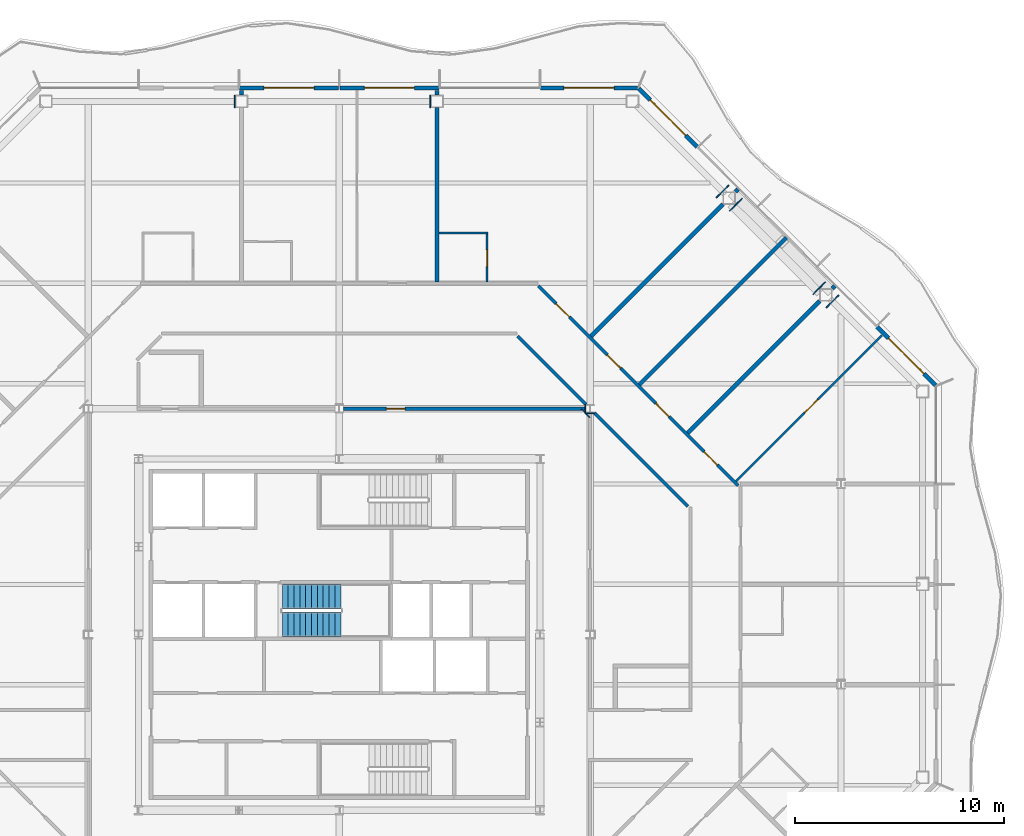
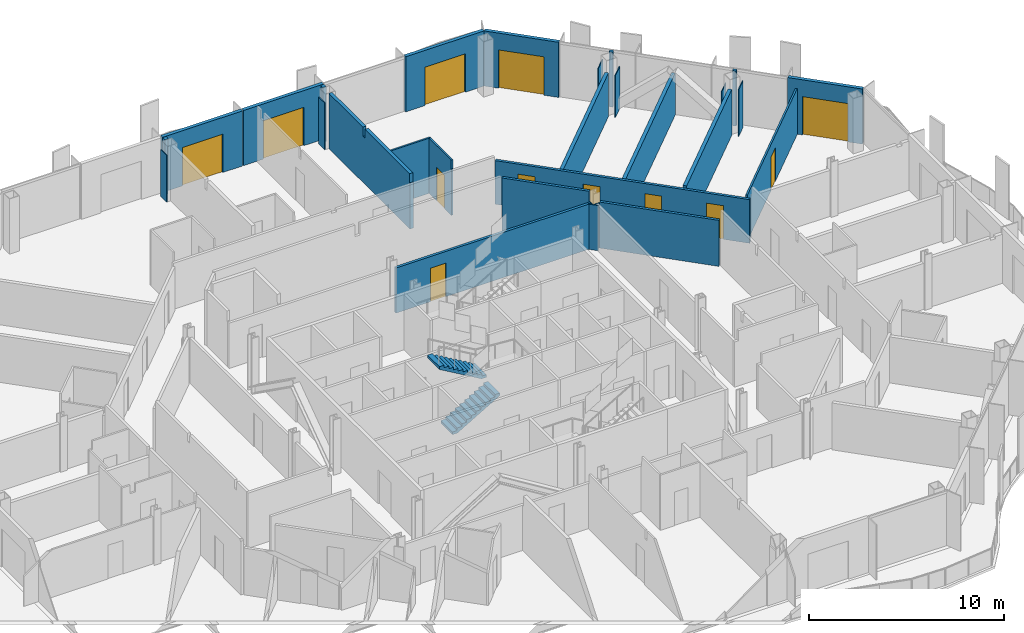
# One storey, part 13 of 21: 29 walls, 12 doors, 2 stair flights, 12 openings, 1 element without a shape of its own.
"""IFC4 building model written with IfcOpenShell, lengths in metres."""

from ifc_helpers import new_model, si_unit, direction, frame, frame_2d, origin, place, context, subcontext, project, spatial, polyline, rectangle, outline, extrude, material, layer, layer_set, type_object, element, fill, aggregate, save


model = new_model("IFC4")

# Units and contexts
model_context = context("Model", 3, precision=1e-05, world=origin(), true_north=direction((0.0, 1.0)))
body_context = subcontext(model_context, "Body", "Model", "MODEL_VIEW")
ifc_project = project(units=[si_unit("LENGTHUNIT", "METRE"), si_unit("AREAUNIT", "SQUARE_METRE"), si_unit("VOLUMEUNIT", "CUBIC_METRE"), si_unit("PLANEANGLEUNIT", "RADIAN"), si_unit("MASSUNIT", "GRAM", prefix="KILO")], contexts=[model_context])

# Site, building, storey
site_placement = place(None, origin())
site = spatial("IfcSite", under=ifc_project, at=site_placement, CompositionType="ELEMENT")
building_placement = place(site_placement, origin())
building = spatial("IfcBuilding", under=site, at=building_placement, Name="Cairn Pilgrim Tower", CompositionType="ELEMENT")
storey_placement = place(building_placement, frame((0.0, 0.0, 150.60009765625)))
storey = spatial("IfcBuildingStorey", under=building, at=storey_placement, Name="L37", CompositionType="ELEMENT", Elevation=150.60009765625)

# Wall, opening, door
ifc_material_1 = material(Name="Bronze anodised aluminium insulated sandwich panel with mineral wool fill", Category="aluminium")
ifc_layer_1 = layer(ifc_material_1, 0.199951171875)
ifc_layer_set_1 = layer_set([ifc_layer_1], Name="BRONZE INFILL FRAME WALL 200")
wall_type_1 = type_object("IfcWallType", Name="BRONZE INFILL FRAME WALL 200", PredefinedType="NOTDEFINED", material=ifc_layer_set_1)
wall_1_placement = place(storey_placement, frame((35.7216796875, 14.32470703125, 0.0), z_axis=(0.0, 0.0, 1.0), x_axis=(-0.707106781187, 0.707106781187, 0.0)))
wall_1 = element("IfcWall", 1, at=wall_1_placement, inside=storey, type_object=wall_type_1, Name="Bronze infill frame wall IW-NE1", PredefinedType="NOTDEFINED", context=body_context, shape_type="SweptSolid", body=[
    extrude(rectangle(XDim=3.961669921875, YDim=0.199951171875, at=frame_2d((1.98095703125, 0.0))), origin(), (0.0, 0.0, 1.0), 3.449951171875),
])
opening_1_placement = place(wall_1_placement, frame((0.775390625, 0.0, 0.0)))
opening_1 = element("IfcOpeningElement", 2, at=opening_1_placement, cuts=wall_1, Name="Opening 3721B", PredefinedType="OPENING", context=body_context, shape_type="SweptSolid", body=[
    extrude(rectangle(XDim=2.39990234375, YDim=2.39990234375, at=frame_2d((1.199951171875, 1.199951171875))), frame((0.0, 0.10986328125, 0.0), z_axis=(0.0, -1.0, 0.0), x_axis=(1.0, 0.0, 0.0)), (0.0, 0.0, 1.0), 0.219970703125),
])
ifc_material_2 = material(Name="Bronze anodised aluminium frame with tinted low-E glass", Category="aluminium")
door_type_1 = type_object("IfcDoorType", Name="BALCONY SLIDING DOOR 2400x2400", OperationType="DOUBLE_DOOR_SLIDING", PredefinedType="DOOR", material=ifc_material_2)
door_1_placement = place(opening_1_placement, origin())
door_1 = element("IfcDoor", 3, at=door_1_placement, inside=storey, type_object=door_type_1, Name="Balcony sliding door 3721B", OperationType="SINGLE_SWING_LEFT", OverallHeight=2.39990234375, OverallWidth=2.39990234375, PredefinedType="DOOR", context=body_context, shape_type="SweptSolid", body=[
    extrude(rectangle(XDim=2.39990234375, YDim=2.39990234375, at=frame_2d((1.199951171875, 1.199951171875))), frame((0.0, 0.02490234375, 0.0), z_axis=(0.0, -1.0, 0.0), x_axis=(1.0, 0.0, 0.0)), (0.0, 0.0, 1.0), 0.050048828125),
])
fill(opening_1, door_1)

wall_2_placement = place(storey_placement, frame((24.325927734375, 25.720458984375, 0.0), z_axis=(0.0, 0.0, 1.0), x_axis=(-0.707106781187, 0.707106781187, 0.0)))
wall_2 = element("IfcWall", 4, at=wall_2_placement, inside=storey, type_object=wall_type_1, Name="Bronze infill frame wall IW-NE5", PredefinedType="NOTDEFINED", context=body_context, shape_type="SweptSolid", body=[
    extrude(rectangle(XDim=3.961669921875, YDim=0.199951171875, at=frame_2d((1.98095703125, 0.0))), origin(), (0.0, 0.0, 1.0), 3.449951171875),
])
opening_2_placement = place(wall_2_placement, frame((0.78564453125, 0.0, 0.0)))
opening_2 = element("IfcOpeningElement", 5, at=opening_2_placement, cuts=wall_2, Name="Opening 3709B", PredefinedType="OPENING", context=body_context, shape_type="SweptSolid", body=[
    extrude(rectangle(XDim=2.39990234375, YDim=2.39990234375, at=frame_2d((1.199951171875, 1.199951171875))), frame((0.0, 0.10986328125, 0.0), z_axis=(0.0, -1.0, 0.0), x_axis=(1.0, 0.0, 0.0)), (0.0, 0.0, 1.0), 0.219970703125),
])
door_2_placement = place(opening_2_placement, origin())
door_2 = element("IfcDoor", 6, at=door_2_placement, inside=storey, type_object=door_type_1, Name="Balcony sliding door 3709B", OperationType="SINGLE_SWING_LEFT", OverallHeight=2.39990234375, OverallWidth=2.39990234375, PredefinedType="DOOR", context=body_context, shape_type="SweptSolid", body=[
    extrude(rectangle(XDim=2.39990234375, YDim=2.39990234375, at=frame_2d((1.199951171875, 1.199951171875))), frame((0.0, 0.02490234375, 0.0), z_axis=(0.0, -1.0, 0.0), x_axis=(1.0, 0.0, 0.0)), (0.0, 0.0, 1.0), 0.050048828125),
])
fill(opening_2, door_2)

wall_3_placement = place(storey_placement, frame((21.45654296875, 28.550048828125, 0.0), z_axis=(0.0, 0.0, 1.0), x_axis=(-1.0, 0.0, 0.0)))
wall_3 = element("IfcWall", 7, at=wall_3_placement, inside=storey, type_object=wall_type_1, Name="Bronze infill frame wall IW-N1", PredefinedType="NOTDEFINED", context=body_context, shape_type="SweptSolid", body=[
    extrude(rectangle(XDim=4.62646484375, YDim=0.199951171875, at=frame_2d((2.313232421875, 0.0))), origin(), (0.0, 0.0, 1.0), 3.449951171875),
])
opening_3_placement = place(wall_3_placement, frame((1.1083984375, 0.0, 0.0)))
opening_3 = element("IfcOpeningElement", 8, at=opening_3_placement, cuts=wall_3, Name="Opening 3709B2", PredefinedType="OPENING", context=body_context, shape_type="SweptSolid", body=[
    extrude(rectangle(XDim=2.39990234375, YDim=2.39990234375, at=frame_2d((1.199951171875, 1.199951171875))), frame((0.0, 0.10986328125, 0.0), z_axis=(0.0, -1.0, 0.0), x_axis=(1.0, 0.0, 0.0)), (0.0, 0.0, 1.0), 0.219970703125),
])
door_3_placement = place(opening_3_placement, origin())
door_3 = element("IfcDoor", 9, at=door_3_placement, inside=storey, type_object=door_type_1, Name="Balcony sliding door 3709B2", OperationType="SINGLE_SWING_LEFT", OverallHeight=2.39990234375, OverallWidth=2.39990234375, PredefinedType="DOOR", context=body_context, shape_type="SweptSolid", body=[
    extrude(rectangle(XDim=2.39990234375, YDim=2.39990234375, at=frame_2d((1.199951171875, 1.199951171875))), frame((0.0, 0.02490234375, 0.0), z_axis=(0.0, -1.0, 0.0), x_axis=(1.0, 0.0, 0.0)), (0.0, 0.0, 1.0), 0.050048828125),
])
fill(opening_3, door_3)

wall_4_placement = place(storey_placement, frame((11.969970703125, 28.550048828125, 0.0), z_axis=(0.0, 0.0, 1.0), x_axis=(-1.0, 0.0, 0.0)))
wall_4 = element("IfcWall", 10, at=wall_4_placement, inside=storey, type_object=wall_type_1, Name="Bronze infill frame wall IW-N3", PredefinedType="NOTDEFINED", context=body_context, shape_type="SweptSolid", body=[
    extrude(rectangle(XDim=4.739990234375, YDim=0.199951171875, at=frame_2d((2.3701171875, 0.0))), origin(), (0.0, 0.0, 1.0), 3.449951171875),
])
opening_4_placement = place(wall_4_placement, frame((1.17041015625, 0.0, 0.0)))
opening_4 = element("IfcOpeningElement", 11, at=opening_4_placement, cuts=wall_4, Name="Opening 3710B", PredefinedType="OPENING", context=body_context, shape_type="SweptSolid", body=[
    extrude(rectangle(XDim=2.39990234375, YDim=2.39990234375, at=frame_2d((1.199951171875, 1.199951171875))), frame((0.0, 0.10986328125, 0.0), z_axis=(0.0, -1.0, 0.0), x_axis=(1.0, 0.0, 0.0)), (0.0, 0.0, 1.0), 0.219970703125),
])
door_4_placement = place(opening_4_placement, origin())
door_4 = element("IfcDoor", 12, at=door_4_placement, inside=storey, type_object=door_type_1, Name="Balcony sliding door 3710B", OperationType="SINGLE_SWING_LEFT", OverallHeight=2.39990234375, OverallWidth=2.39990234375, PredefinedType="DOOR", context=body_context, shape_type="SweptSolid", body=[
    extrude(rectangle(XDim=2.39990234375, YDim=2.39990234375, at=frame_2d((1.199951171875, 1.199951171875))), frame((0.0, 0.02490234375, 0.0), z_axis=(0.0, -1.0, 0.0), x_axis=(1.0, 0.0, 0.0)), (0.0, 0.0, 1.0), 0.050048828125),
])
fill(opening_4, door_4)

wall_5_placement = place(storey_placement, frame((7.169921875, 28.550048828125, 0.0), z_axis=(0.0, 0.0, 1.0), x_axis=(-1.0, 0.0, 0.0)))
wall_5 = element("IfcWall", 13, at=wall_5_placement, inside=storey, type_object=wall_type_1, Name="Bronze infill frame wall IW-N4", PredefinedType="NOTDEFINED", context=body_context, shape_type="SweptSolid", body=[
    extrude(rectangle(XDim=4.739990234375, YDim=0.199951171875, at=frame_2d((2.3701171875, 0.0))), origin(), (0.0, 0.0, 1.0), 3.449951171875),
])
opening_5_placement = place(wall_5_placement, frame((1.17041015625, 0.0, 0.0)))
opening_5 = element("IfcOpeningElement", 14, at=opening_5_placement, cuts=wall_5, Name="Opening 3710SB", PredefinedType="OPENING", context=body_context, shape_type="SweptSolid", body=[
    extrude(rectangle(XDim=2.39990234375, YDim=2.39990234375, at=frame_2d((1.199951171875, 1.199951171875))), frame((0.0, 0.10986328125, 0.0), z_axis=(0.0, -1.0, 0.0), x_axis=(1.0, 0.0, 0.0)), (0.0, 0.0, 1.0), 0.219970703125),
])
door_5_placement = place(opening_5_placement, origin())
door_5 = element("IfcDoor", 15, at=door_5_placement, inside=storey, type_object=door_type_1, Name="Balcony sliding door 3710SB", OperationType="SINGLE_SWING_LEFT", OverallHeight=2.39990234375, OverallWidth=2.39990234375, PredefinedType="DOOR", context=body_context, shape_type="SweptSolid", body=[
    extrude(rectangle(XDim=2.39990234375, YDim=2.39990234375, at=frame_2d((1.199951171875, 1.199951171875))), frame((0.0, 0.02490234375, 0.0), z_axis=(0.0, -1.0, 0.0), x_axis=(1.0, 0.0, 0.0)), (0.0, 0.0, 1.0), 0.050048828125),
])
fill(opening_5, door_5)

ifc_material_3 = material(Name="Gypsum partition")
ifc_layer_2 = layer(ifc_material_3, 0.10009765625)
ifc_layer_set_2 = layer_set([ifc_layer_2], Name="PARTITION 100 DRYWALL")
wall_type_2 = type_object("IfcWallType", Name="PARTITION 100 DRYWALL", PredefinedType="PARTITIONING", material=ifc_layer_set_2)
wall_6_placement = place(storey_placement, frame((26.174072265625, 9.72607421875, 0.0), z_axis=(0.0, 0.0, 1.0), x_axis=(0.707106781187, 0.707106781187, 0.0)))
wall_6 = element("IfcWall", 16, at=wall_6_placement, inside=storey, type_object=wall_type_2, Name="PARTITION W077", PredefinedType="PARTITIONING", context=body_context, shape_type="SweptSolid", body=[
    extrude(rectangle(XDim=9.872802734375, YDim=0.10009765625, at=frame_2d((4.9365234375, 0.0))), origin(), (0.0, 0.0, 1.0), 2.8798828125),
])
opening_6_placement = place(wall_6_placement, frame((4.638916015625, 0.0, 0.0)))
opening_6 = element("IfcOpeningElement", 17, at=opening_6_placement, cuts=wall_6, Name="Opening 3721", PredefinedType="OPENING", context=body_context, shape_type="SweptSolid", body=[
    extrude(rectangle(XDim=0.89990234375, YDim=2.10009765625, at=frame_2d((0.449951171875, 1.050048828125))), frame((0.0, 0.06005859375, 0.0), z_axis=(0.0, -1.0, 0.0), x_axis=(1.0, 0.0, 0.0)), (0.0, 0.0, 1.0), 0.1201171875),
])
ifc_material_4 = material(Name="Timber door leaf", Category="wood")
door_type_2 = type_object("IfcDoorType", Name="SERVICE DOOR 900x2100", OperationType="NOTDEFINED", PredefinedType="DOOR", material=ifc_material_4)
door_6_placement = place(opening_6_placement, origin())
door_6 = element("IfcDoor", 18, at=door_6_placement, inside=storey, type_object=door_type_2, Name="DOOR 3721", OperationType="SINGLE_SWING_RIGHT", OverallHeight=2.10009765625, OverallWidth=0.89990234375, PredefinedType="DOOR", context=body_context, shape_type="SweptSolid", body=[
    extrude(rectangle(XDim=0.89990234375, YDim=2.10009765625, at=frame_2d((0.449951171875, 1.050048828125))), frame((0.0, 0.02490234375, 0.0), z_axis=(0.0, -1.0, 0.0), x_axis=(1.0, 0.0, 0.0)), (0.0, 0.0, 1.0), 0.050048828125),
])
fill(opening_6, door_6)

wall_7_placement = place(storey_placement, frame((14.27587890625, 19.27490234375, 0.0), z_axis=(0.0, 0.0, 1.0), x_axis=(0.0, 1.0, 0.0)))
wall_7 = element("IfcWall", 19, at=wall_7_placement, inside=storey, type_object=wall_type_2, Name="PARTITION W101", PredefinedType="PARTITIONING", context=body_context, shape_type="SweptSolid", body=[
    extrude(outline(polyline([(0.0, 0.0), (2.275146484375, 0.0), (2.27490234375, 3.449951171875), (0.030029296875, 3.449951171875), (0.028076171875, 2.8798828125), (0.0, 2.8798828125), (0.0, 0.0)])), frame((0.0, 0.050048828125, 0.0), z_axis=(0.0, -1.0, 0.0), x_axis=(1.0, 0.0, 0.0)), (0.0, 0.0, 1.0), 0.10009765625),
])
opening_7_placement = place(wall_7_placement, frame((0.72509765625, 0.0, 0.0)))
opening_7 = element("IfcOpeningElement", 20, at=opening_7_placement, cuts=wall_7, Name="Opening 3709A", PredefinedType="OPENING", context=body_context, shape_type="SweptSolid", body=[
    extrude(rectangle(XDim=0.800048828125, YDim=2.10009765625, at=frame_2d((0.39990234375, 1.050048828125))), frame((0.0, 0.06005859375, 0.0), z_axis=(0.0, -1.0, 0.0), x_axis=(1.0, 0.0, 0.0)), (0.0, 0.0, 1.0), 0.1201171875),
])
door_type_3 = type_object("IfcDoorType", Name="WC DOOR 800x2100", OperationType="NOTDEFINED", PredefinedType="DOOR", material=ifc_material_4)
door_7_placement = place(opening_7_placement, frame((0.800048828125, 0.0, 0.0), z_axis=(0.0, 0.0, 1.0), x_axis=(-1.0, 0.0, 0.0)))
door_7 = element("IfcDoor", 21, at=door_7_placement, inside=storey, type_object=door_type_3, Name="DOOR 3709A", OperationType="SINGLE_SWING_LEFT", OverallHeight=2.10009765625, OverallWidth=0.800048828125, PredefinedType="DOOR", context=body_context, shape_type="SweptSolid", body=[
    extrude(rectangle(XDim=0.800048828125, YDim=2.10009765625, at=frame_2d((0.39990234375, 1.050048828125))), frame((0.0, 0.02490234375, 0.0), z_axis=(0.0, -1.0, 0.0), x_axis=(1.0, 0.0, 0.0)), (0.0, 0.0, 1.0), 0.050048828125),
])
fill(opening_7, door_7)

# Walls
wall_8_placement = place(storey_placement, frame((11.97607421875, 21.60009765625, 0.0), z_axis=(0.0, 0.0, 1.0), x_axis=(1.0, 0.0, 0.0)))
element("IfcWall", 22, at=wall_8_placement, inside=storey, type_object=wall_type_2, Name="PARTITION W105", PredefinedType="PARTITIONING", context=body_context, shape_type="SweptSolid", body=[
    extrude(rectangle(XDim=2.349853515625, YDim=0.10009765625, at=frame_2d((1.1748046875, 0.0))), origin(), (0.0, 0.0, 1.0), 3.449951171875),
])
ifc_layer_3 = layer(ifc_material_3, 0.14990234375)
ifc_layer_set_3 = layer_set([ifc_layer_3], Name="PARTITION 150 DRYWALL EI 60")
wall_type_3 = type_object("IfcWallType", Name="PARTITION 150 DRYWALL EI 60", PredefinedType="PARTITIONING", material=ifc_layer_set_3)
wall_9_placement = place(storey_placement, frame((23.8720703125, 8.528076171875, 0.0), z_axis=(0.0, 0.0, 1.0), x_axis=(-0.707126073897, 0.70708748795, 0.0)))
element("IfcWall", 23, at=wall_9_placement, inside=storey, type_object=wall_type_3, Name="PARTITION W069", PredefinedType="PARTITIONING", context=body_context, shape_type="SweptSolid", body=[
    extrude(rectangle(XDim=6.3271484375, YDim=0.14990234375, at=frame_2d((3.16357421875, 0.0))), origin(), (0.0, 0.0, 1.0), 2.8798828125),
])

# Wall, openings, doors
wall_10_placement = place(storey_placement, frame((26.27197265625, 9.52197265625, 0.0), z_axis=(0.0, 0.0, 1.0), x_axis=(-0.707097742657, 0.707115819601, 0.0)))
wall_10 = element("IfcWall", 24, at=wall_10_placement, inside=storey, type_object=wall_type_3, Name="PARTITION W071", PredefinedType="PARTITIONING", context=body_context, shape_type="SweptSolid", body=[
    extrude(rectangle(XDim=13.505615234375, YDim=0.14990234375, at=frame_2d((6.7529296875, 0.0))), origin(), (0.0, 0.0, 1.0), 2.72998046875),
])
opening_8_placement = place(wall_10_placement, frame((1.398193359375, 0.0, 0.0)))
opening_8 = element("IfcOpeningElement", 25, at=opening_8_placement, cuts=wall_10, Name="Opening 3706", PredefinedType="OPENING", context=body_context, shape_type="SweptSolid", body=[
    extrude(rectangle(XDim=0.89990234375, YDim=2.10009765625, at=frame_2d((0.449951171875, 1.050048828125))), frame((0.0, 0.0849609375, 0.0), z_axis=(0.0, -1.0, 0.0), x_axis=(1.0, 0.0, 0.0)), (0.0, 0.0, 1.0), 0.169921875),
])
opening_9_placement = place(wall_10_placement, frame((4.667724609375, 0.0, 0.0)))
opening_9 = element("IfcOpeningElement", 26, at=opening_9_placement, cuts=wall_10, Name="Opening 3707", PredefinedType="OPENING", context=body_context, shape_type="SweptSolid", body=[
    extrude(rectangle(XDim=0.89990234375, YDim=2.10009765625, at=frame_2d((0.449951171875, 1.050048828125))), frame((0.0, 0.0849609375, 0.0), z_axis=(0.0, -1.0, 0.0), x_axis=(1.0, 0.0, 0.0)), (0.0, 0.0, 1.0), 0.169921875),
])
opening_10_placement = place(wall_10_placement, frame((7.9375, 0.0, 0.0)))
opening_10 = element("IfcOpeningElement", 27, at=opening_10_placement, cuts=wall_10, Name="Opening 3708", PredefinedType="OPENING", context=body_context, shape_type="SweptSolid", body=[
    extrude(rectangle(XDim=0.89990234375, YDim=2.10009765625, at=frame_2d((0.449951171875, 1.050048828125))), frame((0.0, 0.0849609375, 0.0), z_axis=(0.0, -1.0, 0.0), x_axis=(1.0, 0.0, 0.0)), (0.0, 0.0, 1.0), 0.169921875),
])
opening_11_placement = place(wall_10_placement, frame((11.40478515625, 0.0, 0.0)))
opening_11 = element("IfcOpeningElement", 28, at=opening_11_placement, cuts=wall_10, Name="Opening 3709", PredefinedType="OPENING", context=body_context, shape_type="SweptSolid", body=[
    extrude(rectangle(XDim=0.89990234375, YDim=2.10009765625, at=frame_2d((0.449951171875, 1.050048828125))), frame((0.0, 0.0849609375, 0.0), z_axis=(0.0, -1.0, 0.0), x_axis=(1.0, 0.0, 0.0)), (0.0, 0.0, 1.0), 0.169921875),
])
door_type_4 = type_object("IfcDoorType", Name="ROOM DOOR 900x2100 FD30S", OperationType="NOTDEFINED", PredefinedType="DOOR", material=ifc_material_4)
door_8_placement = place(opening_8_placement, frame((0.89990234375, 0.0, 0.0), z_axis=(0.0, 0.0, 1.0), x_axis=(-1.0, 0.0, 0.0)))
door_8 = element("IfcDoor", 29, at=door_8_placement, inside=storey, type_object=door_type_4, Name="DOOR 3706", OperationType="SINGLE_SWING_LEFT", OverallHeight=2.10009765625, OverallWidth=0.89990234375, PredefinedType="DOOR", context=body_context, shape_type="SweptSolid", body=[
    extrude(rectangle(XDim=0.89990234375, YDim=2.10009765625, at=frame_2d((0.449951171875, 1.050048828125))), frame((0.0, 0.02490234375, 0.0), z_axis=(0.0, -1.0, 0.0), x_axis=(1.0, 0.0, 0.0)), (0.0, 0.0, 1.0), 0.050048828125),
])
fill(opening_8, door_8)
door_9_placement = place(opening_11_placement, frame((0.89990234375, 0.0, 0.0), z_axis=(0.0, 0.0, 1.0), x_axis=(-1.0, 0.0, 0.0)))
door_9 = element("IfcDoor", 30, at=door_9_placement, inside=storey, type_object=door_type_4, Name="DOOR 3709", OperationType="SINGLE_SWING_LEFT", OverallHeight=2.10009765625, OverallWidth=0.89990234375, PredefinedType="DOOR", context=body_context, shape_type="SweptSolid", body=[
    extrude(rectangle(XDim=0.89990234375, YDim=2.10009765625, at=frame_2d((0.449951171875, 1.050048828125))), frame((0.0, 0.02490234375, 0.0), z_axis=(0.0, -1.0, 0.0), x_axis=(1.0, 0.0, 0.0)), (0.0, 0.0, 1.0), 0.050048828125),
])
fill(opening_11, door_9)
door_type_5 = type_object("IfcDoorType", Name="SERVICE DOOR 900x2100 FD30S", OperationType="NOTDEFINED", PredefinedType="DOOR", material=ifc_material_4)
door_10_placement = place(opening_9_placement, frame((0.89990234375, 0.0, 0.0), z_axis=(0.0, 0.0, 1.0), x_axis=(-1.0, 0.0, 0.0)))
door_10 = element("IfcDoor", 31, at=door_10_placement, inside=storey, type_object=door_type_5, Name="DOOR 3707", OperationType="SINGLE_SWING_LEFT", OverallHeight=2.10009765625, OverallWidth=0.89990234375, PredefinedType="DOOR", context=body_context, shape_type="SweptSolid", body=[
    extrude(rectangle(XDim=0.89990234375, YDim=2.10009765625, at=frame_2d((0.449951171875, 1.050048828125))), frame((0.0, 0.02490234375, 0.0), z_axis=(0.0, -1.0, 0.0), x_axis=(1.0, 0.0, 0.0)), (0.0, 0.0, 1.0), 0.050048828125),
])
fill(opening_9, door_10)
door_11_placement = place(opening_10_placement, frame((0.89990234375, 0.0, 0.0), z_axis=(0.0, 0.0, 1.0), x_axis=(-1.0, 0.0, 0.0)))
door_11 = element("IfcDoor", 32, at=door_11_placement, inside=storey, type_object=door_type_5, Name="DOOR 3708", OperationType="SINGLE_SWING_LEFT", OverallHeight=2.10009765625, OverallWidth=0.89990234375, PredefinedType="DOOR", context=body_context, shape_type="SweptSolid", body=[
    extrude(rectangle(XDim=0.89990234375, YDim=2.10009765625, at=frame_2d((0.449951171875, 1.050048828125))), frame((0.0, 0.02490234375, 0.0), z_axis=(0.0, -1.0, 0.0), x_axis=(1.0, 0.0, 0.0)), (0.0, 0.0, 1.0), 0.050048828125),
])
fill(opening_10, door_11)

# Wall, opening, door
wall_11_placement = place(storey_placement, frame((7.3994140625, 13.199951171875, 0.0), z_axis=(0.0, 0.0, 1.0), x_axis=(1.0, 0.0, 0.0)))
wall_11 = element("IfcWall", 33, at=wall_11_placement, inside=storey, type_object=wall_type_3, Name="PARTITION W083", PredefinedType="PARTITIONING", context=body_context, shape_type="SweptSolid", body=[
    extrude(rectangle(XDim=11.60107421875, YDim=0.14990234375, at=frame_2d((5.800537109375, 0.0))), origin(), (0.0, 0.0, 1.0), 2.829833984375),
])
opening_12_placement = place(wall_11_placement, frame((2.050537109375, 0.0, 0.0)))
opening_12 = element("IfcOpeningElement", 34, at=opening_12_placement, cuts=wall_11, Name="Opening 3727", PredefinedType="OPENING", context=body_context, shape_type="SweptSolid", body=[
    extrude(rectangle(XDim=0.89990234375, YDim=2.10009765625, at=frame_2d((0.449951171875, 1.050048828125))), frame((0.0, 0.0849609375, 0.0), z_axis=(0.0, -1.0, 0.0), x_axis=(1.0, 0.0, 0.0)), (0.0, 0.0, 1.0), 0.169921875),
])
door_12_placement = place(opening_12_placement, origin())
door_12 = element("IfcDoor", 35, at=door_12_placement, inside=storey, type_object=door_type_5, Name="DOOR 3727", OperationType="SINGLE_SWING_LEFT", OverallHeight=2.10009765625, OverallWidth=0.89990234375, PredefinedType="DOOR", context=body_context, shape_type="SweptSolid", body=[
    extrude(rectangle(XDim=0.89990234375, YDim=2.10009765625, at=frame_2d((0.449951171875, 1.050048828125))), frame((0.0, 0.02490234375, 0.0), z_axis=(0.0, -1.0, 0.0), x_axis=(1.0, 0.0, 0.0)), (0.0, 0.0, 1.0), 0.050048828125),
])
fill(opening_12, door_12)

# Walls
wall_12_placement = place(storey_placement, frame((19.001953125, 13.39794921875, 0.0), z_axis=(0.0, 0.0, 1.0), x_axis=(-0.707080416772, 0.707133144618, 0.0)))
element("IfcWall", 36, at=wall_12_placement, inside=storey, type_object=wall_type_3, Name="PARTITION W086", PredefinedType="PARTITIONING", context=body_context, shape_type="SweptSolid", body=[
    extrude(rectangle(XDim=4.630126953125, YDim=0.14990234375, at=frame_2d((2.31494140625, 0.0))), origin(), (0.0, 0.0, 1.0), 3.449951171875),
])
ifc_layer_4 = layer(ifc_material_3, 0.050048828125)
ifc_layer_set_4 = layer_set([ifc_layer_4], Name="PARTITION 50 DRYWALL EI 60")
wall_type_4 = type_object("IfcWallType", Name="PARTITION 50 DRYWALL EI 60", PredefinedType="PARTITIONING", material=ifc_layer_set_4)
wall_13_placement = place(storey_placement, frame((18.9755859375, 13.00341796875, 0.0), z_axis=(0.0, 0.0, 1.0), x_axis=(0.0, 1.0, 0.0)))
element("IfcWall", 37, at=wall_13_placement, inside=storey, type_object=wall_type_4, Name="COLUMN CASING WC20", PredefinedType="PARTITIONING", context=body_context, shape_type="SweptSolid", body=[
    extrude(rectangle(XDim=0.39306640625, YDim=0.050048828125, at=frame_2d((0.196533203125, 0.0))), origin(), (0.0, 0.0, 1.0), 2.829833984375),
])
wall_14_placement = place(storey_placement, frame((19.182373046875, 12.786376953125, 0.0), z_axis=(0.0, 0.0, 1.0), x_axis=(-0.707106781187, 0.707106781187, 0.0)))
element("IfcWall", 38, at=wall_14_placement, inside=storey, type_object=wall_type_4, Name="COLUMN CASING WC26", PredefinedType="PARTITIONING", context=body_context, shape_type="SweptSolid", body=[
    extrude(rectangle(XDim=0.56005859375, YDim=0.050048828125, at=frame_2d((0.280029296875, 0.0))), origin(), (0.0, 0.0, 1.0), 2.829833984375),
])
wall_15_placement = place(storey_placement, frame((29.85791015625, 18.669189453125, 0.0), z_axis=(0.0, 0.0, 1.0), x_axis=(0.707106781187, 0.707106781187, 0.0)))
element("IfcWall", 39, at=wall_15_placement, inside=storey, type_object=wall_type_4, Name="COLUMN CASING WC29", PredefinedType="PARTITIONING", context=body_context, shape_type="SweptSolid", body=[
    extrude(rectangle(XDim=0.8486328125, YDim=0.050048828125, at=frame_2d((0.42431640625, 0.0))), origin(), (0.0, 0.0, 1.0), 2.6298828125),
])
wall_16_placement = place(storey_placement, frame((30.493408203125, 18.03369140625, 0.0), z_axis=(0.0, 0.0, 1.0), x_axis=(0.707106781187, 0.707106781187, 0.0)))
element("IfcWall", 40, at=wall_16_placement, inside=storey, type_object=wall_type_4, Name="COLUMN CASING WC30", PredefinedType="PARTITIONING", context=body_context, shape_type="SweptSolid", body=[
    extrude(rectangle(XDim=0.8486328125, YDim=0.050048828125, at=frame_2d((0.42431640625, 0.0))), origin(), (0.0, 0.0, 1.0), 2.929931640625),
])
wall_17_placement = place(storey_placement, frame((19.00048828125, 12.978515625, 0.0), z_axis=(0.0, 0.0, 1.0), x_axis=(1.0, 0.0, 0.0)))
element("IfcWall", 41, at=wall_17_placement, inside=storey, type_object=wall_type_4, Name="COLUMN CASING WC33", PredefinedType="PARTITIONING", context=body_context, shape_type="SweptSolid", body=[
    extrude(rectangle(XDim=0.39892578125, YDim=0.050048828125, at=frame_2d((0.199462890625, 0.0))), origin(), (0.0, 0.0, 1.0), 2.829833984375),
])
wall_18_placement = place(storey_placement, frame((25.23388671875, 23.29345703125, 0.0), z_axis=(0.0, 0.0, 1.0), x_axis=(0.707106781187, 0.707106781187, 0.0)))
element("IfcWall", 42, at=wall_18_placement, inside=storey, type_object=wall_type_4, Name="COLUMN CASING WC36", PredefinedType="PARTITIONING", context=body_context, shape_type="SweptSolid", body=[
    extrude(rectangle(XDim=0.848388671875, YDim=0.050048828125, at=frame_2d((0.42431640625, 0.0))), origin(), (0.0, 0.0, 1.0), 2.929931640625),
])
wall_19_placement = place(storey_placement, frame((25.869140625, 22.657958984375, 0.0), z_axis=(0.0, 0.0, 1.0), x_axis=(0.707106781187, 0.707106781187, 0.0)))
element("IfcWall", 43, at=wall_19_placement, inside=storey, type_object=wall_type_4, Name="COLUMN CASING WC37", PredefinedType="PARTITIONING", context=body_context, shape_type="SweptSolid", body=[
    extrude(rectangle(XDim=0.8486328125, YDim=0.050048828125, at=frame_2d((0.42431640625, 0.0))), origin(), (0.0, 0.0, 1.0), 2.6298828125),
])
for number, where, z_axis, x_axis, name in (
    (44, (2.19921875, 27.60009765625, 0.0), (0.0, 0.0, 1.0), (0.0, 1.0, 0.0), "COLUMN CASING WC38"),
    (45, (11.55078125, 27.60009765625, 0.0), (0.0, 0.0, 1.0), (0.0, 1.0, 0.0), "COLUMN CASING WC39"),
):
    element("IfcWall", number, at=place(storey_placement, frame(where, z_axis=z_axis, x_axis=x_axis)), inside=storey, type_object=wall_type_4, Name=name, PredefinedType="PARTITIONING", context=body_context, shape_type="SweptSolid", body=[
        extrude(rectangle(XDim=0.599853515625, YDim=0.050048828125, at=frame_2d((0.2998046875, 0.0))), origin(), (0.0, 0.0, 1.0), 2.929931640625),
    ])
ifc_layer_5 = layer(ifc_material_3, 0.199951171875)
ifc_layer_set_5 = layer_set([ifc_layer_5], Name="SHAFT WALL 200 GYPSUM EI 60")
wall_type_5 = type_object("IfcWallType", Name="SHAFT WALL 200 GYPSUM EI 60", PredefinedType="PARTITIONING", material=ifc_layer_set_5)
wall_20_placement = place(storey_placement, frame((23.862060546875, 12.0380859375, 0.0), z_axis=(0.0, 0.0, 1.0), x_axis=(0.707106781187, 0.707106781187, 0.0)))
element("IfcWall", 46, at=wall_20_placement, inside=storey, type_object=wall_type_5, Name="PARTITION W080", PredefinedType="PARTITIONING", context=body_context, shape_type="SweptSolid", body=[
    extrude(rectangle(XDim=8.9287109375, YDim=0.199951171875, at=frame_2d((4.46435546875, 0.0))), origin(), (0.0, 0.0, 1.0), 2.8798828125),
])
wall_21_placement = place(storey_placement, frame((21.550048828125, 14.35009765625, 0.0), z_axis=(0.0, 0.0, 1.0), x_axis=(0.707106781187, 0.707106781187, 0.0)))
element("IfcWall", 47, at=wall_21_placement, inside=storey, type_object=wall_type_5, Name="PARTITION W087", PredefinedType="PARTITIONING", context=body_context, shape_type="SweptSolid", body=[
    extrude(rectangle(XDim=9.943115234375, YDim=0.199951171875, at=frame_2d((4.9716796875, 0.0))), origin(), (0.0, 0.0, 1.0), 2.6298828125),
])
wall_22_placement = place(storey_placement, frame((19.238037109375, 16.662109375, 0.0), z_axis=(0.0, 0.0, 1.0), x_axis=(0.707106781187, 0.707106781187, 0.0)))
element("IfcWall", 48, at=wall_22_placement, inside=storey, type_object=wall_type_5, Name="PARTITION W091", PredefinedType="PARTITIONING", context=body_context, shape_type="SweptSolid", body=[
    extrude(rectangle(XDim=8.9287109375, YDim=0.199951171875, at=frame_2d((4.46435546875, 0.0))), origin(), (0.0, 0.0, 1.0), 2.72998046875),
])
wall_23_placement = place(storey_placement, frame((30.775634765625, 18.95166015625, 0.0), z_axis=(0.0, 0.0, 1.0), x_axis=(0.707106781187, 0.707106781187, 0.0)))
element("IfcWall", 49, at=wall_23_placement, inside=storey, type_object=wall_type_5, Name="PARTITION W093", PredefinedType="PARTITIONING", context=body_context, shape_type="SweptSolid", body=[
    extrude(rectangle(XDim=0.165771484375, YDim=0.199951171875, at=frame_2d((0.0830078125, 0.0))), origin(), (0.0, 0.0, 1.0), 3.449951171875),
])
wall_24_placement = place(storey_placement, frame((11.8759765625, 19.27490234375, 0.0), z_axis=(0.0, 0.0, 1.0), x_axis=(0.0, 1.0, 0.0)))
element("IfcWall", 50, at=wall_24_placement, inside=storey, type_object=wall_type_5, Name="PARTITION W100", PredefinedType="PARTITIONING", context=body_context, shape_type="SweptSolid", body=[
    extrude(outline(polyline([(0.0, 0.0), (8.3251953125, 0.0), (8.324951171875, 3.449951171875), (4.830078125, 3.449951171875), (4.827880859375, 2.8798828125), (4.6201171875, 2.8798828125), (4.617919921875, 3.449951171875), (0.030029296875, 3.449951171875), (0.028076171875, 2.8798828125), (0.0, 2.8798828125), (0.0, 0.0)])), frame((0.0, 0.10009765625, 0.0), z_axis=(0.0, -1.0, 0.0), x_axis=(1.0, 0.0, 0.0)), (0.0, 0.0, 1.0), 0.199951171875),
])
wall_25_placement = place(storey_placement, frame((26.151611328125, 23.57568359375, 0.0), z_axis=(0.0, 0.0, 1.0), x_axis=(0.707106781187, 0.707106781187, 0.0)))
element("IfcWall", 51, at=wall_25_placement, inside=storey, type_object=wall_type_5, Name="PARTITION W107", PredefinedType="PARTITIONING", context=body_context, shape_type="SweptSolid", body=[
    extrude(rectangle(XDim=0.165771484375, YDim=0.199951171875, at=frame_2d((0.0830078125, 0.0))), origin(), (0.0, 0.0, 1.0), 3.449951171875),
])
for number, where, z_axis, x_axis, name in (
    (52, (2.52392578125, 28.199951171875, 0.0), (0.0, 0.0, 1.0), (0.0, 1.0, 0.0), "PARTITION W108"),
    (53, (11.8759765625, 28.199951171875, 0.0), (0.0, 0.0, 1.0), (0.0, 1.0, 0.0), "PARTITION W109"),
):
    element("IfcWall", number, at=place(storey_placement, frame(where, z_axis=z_axis, x_axis=x_axis)), inside=storey, type_object=wall_type_5, Name=name, PredefinedType="PARTITIONING", context=body_context, shape_type="SweptSolid", body=[
        extrude(rectangle(XDim=0.219970703125, YDim=0.199951171875, at=frame_2d((0.10986328125, 0.0))), origin(), (0.0, 0.0, 1.0), 3.449951171875),
    ])

# Stair, stair flights
ifc_material_5 = material(Name="Concrete C32/40", Category="concrete")
stair_type = type_object("IfcStairType", Name="EXIT STAIR 1200", PredefinedType="HALF_TURN_STAIR", material=ifc_material_5)
stair_placement = place(storey_placement, origin())
stair = element("IfcStair", 54, at=stair_placement, inside=storey, type_object=stair_type, Name="L37 Exit Stair B", PredefinedType="HALF_TURN_STAIR")
stair_flight_type = type_object("IfcStairFlightType", Name="STAIR FLIGHT 1200", PredefinedType="STRAIGHT", material=ifc_material_5)
stair_flight_1_placement = place(storey_placement, frame((4.47509765625, 2.875, 0.0), z_axis=(0.0, 0.0, 1.0), x_axis=(1.0, 0.0, 0.0)))
stair_flight_1 = element("IfcStairFlight", 55, at=stair_flight_1_placement, type_object=stair_flight_type, Name="ST-B flight 1", NumberOfRisers=11, NumberOfTreads=10, PredefinedType="STRAIGHT", RiserHeight=0.163636364, TreadLength=0.28, context=body_context, shape_type="SweptSolid", body=[
    extrude(outline(polyline([(0.0, 0.0), (0.0, 0.16357421875), (0.280029296875, 0.16357421875), (0.280029296875, 0.327392578125), (0.56005859375, 0.327392578125), (0.56005859375, 0.490966796875), (0.840087890625, 0.490966796875), (0.840087890625, 0.654541015625), (1.1201171875, 0.654541015625), (1.1201171875, 0.818115234375), (1.39990234375, 0.818115234375), (1.39990234375, 0.98193359375), (1.679931640625, 0.98193359375), (1.679931640625, 1.1455078125), (1.9599609375, 1.1455078125), (1.9599609375, 1.30908203125), (2.239990234375, 1.30908203125), (2.239990234375, 1.47265625), (2.52001953125, 1.47265625), (2.52001953125, 1.636474609375), (2.800048828125, 1.636474609375), (2.800048828125, 1.800048828125), (2.800048828125, 1.462646484375), (0.297119140625, 0.0), (0.0, 0.0)])), frame((0.0, 0.60009765625, 0.0), z_axis=(0.0, -1.0, 0.0), x_axis=(1.0, 0.0, 0.0)), (0.0, 0.0, 1.0), 1.199951171875),
])
stair_flight_2_placement = place(storey_placement, frame((7.27490234375, 4.22509765625, 1.7998046875), z_axis=(0.0, 0.0, 1.0), x_axis=(-1.0, 0.0, 0.0)))
stair_flight_2 = element("IfcStairFlight", 56, at=stair_flight_2_placement, type_object=stair_flight_type, Name="ST-B flight 2", NumberOfRisers=11, NumberOfTreads=10, PredefinedType="STRAIGHT", RiserHeight=0.163636364, TreadLength=0.28, context=body_context, shape_type="SweptSolid", body=[
    extrude(outline(polyline([(0.0, 0.0), (0.0, 0.16357421875), (0.280029296875, 0.16357421875), (0.280029296875, 0.327392578125), (0.56005859375, 0.327392578125), (0.56005859375, 0.490966796875), (0.840087890625, 0.490966796875), (0.840087890625, 0.654541015625), (1.1201171875, 0.654541015625), (1.1201171875, 0.818115234375), (1.39990234375, 0.818115234375), (1.39990234375, 0.98193359375), (1.679931640625, 0.98193359375), (1.679931640625, 1.1455078125), (1.9599609375, 1.1455078125), (1.9599609375, 1.30908203125), (2.239990234375, 1.30908203125), (2.239990234375, 1.47265625), (2.52001953125, 1.47265625), (2.52001953125, 1.636474609375), (2.800048828125, 1.636474609375), (2.800048828125, 1.800048828125), (2.800048828125, 1.462646484375), (0.297119140625, 0.0), (0.0, 0.0)])), frame((0.0, 0.60009765625, 0.0), z_axis=(0.0, -1.0, 0.0), x_axis=(1.0, 0.0, 0.0)), (0.0, 0.0, 1.0), 1.199951171875),
])
aggregate(stair, [stair_flight_1, stair_flight_2])

save(model, "model.ifc")
